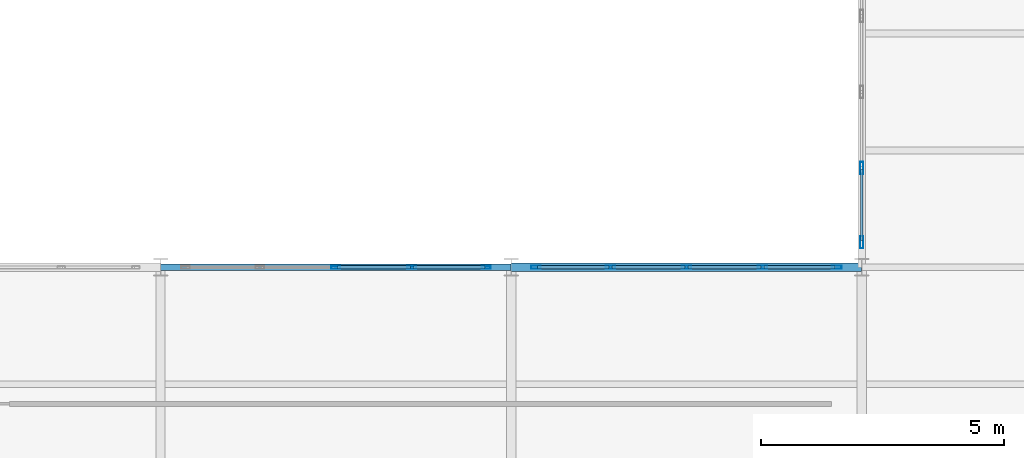
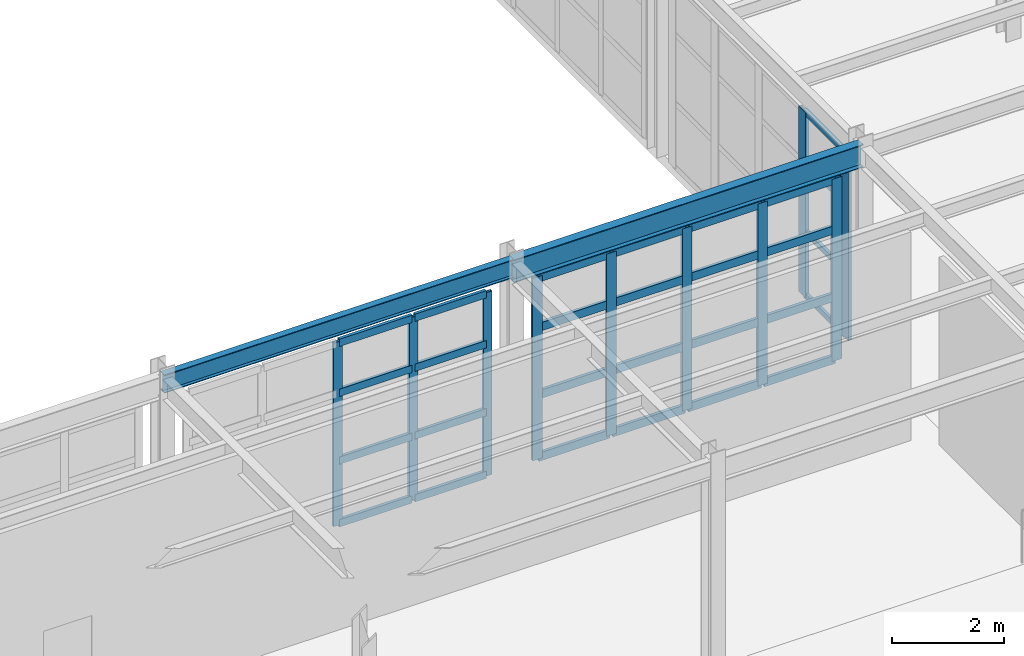
# One storey, part 32 of 126: 38 members, 2 beams, 3 elements without a shape of their own.
"""IFC4 building model written with IfcOpenShell, lengths in metres."""

from ifc_helpers import new_model, si_unit, direction, frame, origin, origin_2d, place, context, subcontext, project, spatial, hollow_rectangle, i_section, extrude, material, layer, layer_set, material_profile, profile_set, type_object, element, aggregate, save


model = new_model("IFC4")

# Units and contexts
model_context = context("Model", 3, precision=1e-05, world=origin(), true_north=direction((0.0, 1.0)))
body_context = subcontext(model_context, "Body", "Model", "MODEL_VIEW")
ifc_project = project(units=[si_unit("LENGTHUNIT", "METRE"), si_unit("AREAUNIT", "SQUARE_METRE"), si_unit("VOLUMEUNIT", "CUBIC_METRE"), si_unit("PLANEANGLEUNIT", "RADIAN"), si_unit("MASSUNIT", "GRAM", prefix="KILO")], contexts=[model_context])

# Site, building, storey
site_placement = place(None, origin())
site = spatial("IfcSite", under=ifc_project, at=site_placement, CompositionType="ELEMENT")
building_placement = place(site_placement, origin())
building = spatial("IfcBuilding", under=site, at=building_placement, Name="Solvadek Multi-Sports Hall", CompositionType="ELEMENT")
storey_placement = place(building_placement, frame((0.0, 0.0, 9.60009765625)))
storey = spatial("IfcBuildingStorey", under=building, at=storey_placement, Name="L02", CompositionType="ELEMENT", Elevation=9.60009765625)

# Curtain wall, members
ifc_material_1 = material(Name="Anodised aluminium", Category="aluminium")
ifc_layer_1 = layer(ifc_material_1, 0.159912109375, Name="Anodised aluminium")
ifc_layer_set_1 = layer_set([ifc_layer_1], Name="Anodised aluminium")
curtain_wall_type_1 = type_object("IfcCurtainWallType", Name="ENV-CW-624X400", PredefinedType="USERDEFINED", material=ifc_layer_set_1)
curtain_wall_1_placement = place(storey_placement, origin())
curtain_wall_1 = element("IfcCurtainWall", 1, at=curtain_wall_1_placement, inside=storey, type_object=curtain_wall_type_1, Name="L02 Perimeter Bay Curtain Wall #170", ObjectType="CURTAIN WALL", PredefinedType="USERDEFINED")
ifc_material_profile_1 = material_profile(ifc_material_1, hollow_rectangle(XDim=0.06005859375, YDim=0.179931640625, WallThickness=0.00390625, at=origin_2d()), Name="ALU-M 180x60x4")
ifc_profile_set_1 = profile_set([ifc_material_profile_1], Name="Anodised aluminium")
member_type_1 = type_object("IfcMemberType", Name="ENV-CWM-02", PredefinedType="MULLION", material=ifc_profile_set_1)
member_1_placement = place(storey_placement, frame((46.800048828125, 20.39990234375, 0.0), z_axis=(0.0, 0.0, 1.0), x_axis=(0.0, 1.0, 0.0)))
member_1 = element("IfcMember", 2, at=member_1_placement, type_object=member_type_1, Name="CW-56 mullion 3", PredefinedType="MULLION", context=body_context, shape_type="SweptSolid", body=[
    extrude(hollow_rectangle(XDim=0.06005859375, YDim=0.179931640625, WallThickness=0.00390625, at=origin_2d()), origin(), (0.0, 0.0, 1.0), 4.0),
])
member_2_placement = place(storey_placement, frame((48.360107421875, 20.39990234375, 0.0), z_axis=(0.0, 0.0, 1.0), x_axis=(0.0, 1.0, 0.0)))
member_2 = element("IfcMember", 3, at=member_2_placement, type_object=member_type_1, Name="CW-56 mullion 4", PredefinedType="MULLION", context=body_context, shape_type="SweptSolid", body=[
    extrude(hollow_rectangle(XDim=0.06005859375, YDim=0.179931640625, WallThickness=0.00390625, at=origin_2d()), origin(), (0.0, 0.0, 1.0), 4.0),
])
member_3_placement = place(storey_placement, frame((49.889892578125, 20.39990234375, 0.0), z_axis=(0.0, 0.0, 1.0), x_axis=(0.0, 1.0, 0.0)))
member_3 = element("IfcMember", 4, at=member_3_placement, type_object=member_type_1, Name="CW-56 mullion 5", PredefinedType="MULLION", context=body_context, shape_type="SweptSolid", body=[
    extrude(hollow_rectangle(XDim=0.06005859375, YDim=0.179931640625, WallThickness=0.00390625, at=origin_2d()), origin(), (0.0, 0.0, 1.0), 4.0),
])

ifc_layer_2 = layer(ifc_material_1, 0.159912109375, Name="Anodised aluminium")
ifc_layer_set_2 = layer_set([ifc_layer_2], Name="Anodised aluminium")
curtain_wall_type_2 = type_object("IfcCurtainWallType", Name="ENV-CW-624X397", PredefinedType="USERDEFINED", material=ifc_layer_set_2)
curtain_wall_2_placement = place(storey_placement, origin())
curtain_wall_2 = element("IfcCurtainWall", 5, at=curtain_wall_2_placement, inside=storey, type_object=curtain_wall_type_2, Name="L02 Perimeter Bay Curtain Wall #176", ObjectType="CURTAIN WALL", PredefinedType="USERDEFINED")
ifc_material_profile_2 = material_profile(ifc_material_1, hollow_rectangle(XDim=0.06494140625, YDim=0.199951171875, WallThickness=0.0048828125, at=origin_2d()), Name="ALU-M 200x65x5")
ifc_profile_set_2 = profile_set([ifc_material_profile_2], Name="Anodised aluminium")
member_type_2 = type_object("IfcMemberType", Name="ENV-CWM-03", PredefinedType="MULLION", material=ifc_profile_set_2)
member_4_placement = place(storey_placement, frame((50.91259765625, 20.39990234375, 0.0), z_axis=(0.0, 0.0, 1.0), x_axis=(0.0, 1.0, 0.0)))
member_4 = element("IfcMember", 6, at=member_4_placement, type_object=member_type_2, Name="CW-57 mullion 1", PredefinedType="MULLION", context=body_context, shape_type="SweptSolid", body=[
    extrude(hollow_rectangle(XDim=0.06494140625, YDim=0.199951171875, WallThickness=0.0048828125, at=origin_2d()), origin(), (0.0, 0.0, 1.0), 3.974853515625),
])
member_5_placement = place(storey_placement, frame((52.43994140625, 20.39990234375, 0.0), z_axis=(0.0, 0.0, 1.0), x_axis=(0.0, 1.0, 0.0)))
member_5 = element("IfcMember", 7, at=member_5_placement, type_object=member_type_2, Name="CW-57 mullion 2", PredefinedType="MULLION", context=body_context, shape_type="SweptSolid", body=[
    extrude(hollow_rectangle(XDim=0.06494140625, YDim=0.199951171875, WallThickness=0.0048828125, at=origin_2d()), origin(), (0.0, 0.0, 1.0), 3.974853515625),
])
member_6_placement = place(storey_placement, frame((54.0, 20.39990234375, 0.0), z_axis=(0.0, 0.0, 1.0), x_axis=(0.0, 1.0, 0.0)))
member_6 = element("IfcMember", 8, at=member_6_placement, type_object=member_type_2, Name="CW-57 mullion 3", PredefinedType="MULLION", context=body_context, shape_type="SweptSolid", body=[
    extrude(hollow_rectangle(XDim=0.06494140625, YDim=0.199951171875, WallThickness=0.0048828125, at=origin_2d()), origin(), (0.0, 0.0, 1.0), 3.974853515625),
])
member_7_placement = place(storey_placement, frame((55.56005859375, 20.39990234375, 0.0), z_axis=(0.0, 0.0, 1.0), x_axis=(0.0, 1.0, 0.0)))
member_7 = element("IfcMember", 9, at=member_7_placement, type_object=member_type_2, Name="CW-57 mullion 4", PredefinedType="MULLION", context=body_context, shape_type="SweptSolid", body=[
    extrude(hollow_rectangle(XDim=0.06494140625, YDim=0.199951171875, WallThickness=0.0048828125, at=origin_2d()), origin(), (0.0, 0.0, 1.0), 3.974853515625),
])
member_8_placement = place(storey_placement, frame((57.08740234375, 20.39990234375, 0.0), z_axis=(0.0, 0.0, 1.0), x_axis=(0.0, 1.0, 0.0)))
member_8 = element("IfcMember", 10, at=member_8_placement, type_object=member_type_2, Name="CW-57 mullion 5", PredefinedType="MULLION", context=body_context, shape_type="SweptSolid", body=[
    extrude(hollow_rectangle(XDim=0.06494140625, YDim=0.199951171875, WallThickness=0.0048828125, at=origin_2d()), origin(), (0.0, 0.0, 1.0), 3.974853515625),
])

ifc_layer_3 = layer(ifc_material_1, 0.159912109375, Name="Anodised aluminium")
ifc_layer_set_3 = layer_set([ifc_layer_3], Name="Anodised aluminium")
curtain_wall_type_3 = type_object("IfcCurtainWallType", Name="ENV-CW-624X405", PredefinedType="USERDEFINED", material=ifc_layer_set_3)
curtain_wall_3_placement = place(storey_placement, origin())
curtain_wall_3 = element("IfcCurtainWall", 11, at=curtain_wall_3_placement, inside=storey, type_object=curtain_wall_type_3, Name="L02 Perimeter Bay Curtain Wall #185", ObjectType="CURTAIN WALL", PredefinedType="USERDEFINED")
ifc_material_profile_3 = material_profile(ifc_material_1, hollow_rectangle(XDim=0.070068359375, YDim=0.25, WallThickness=0.0048828125, at=origin_2d()), Name="ALU-M 250x70x5")
ifc_profile_set_3 = profile_set([ifc_material_profile_3], Name="Anodised aluminium")
member_type_3 = type_object("IfcMemberType", Name="ENV-CWM-05", PredefinedType="MULLION", material=ifc_profile_set_3)
member_9_placement = place(storey_placement, frame((57.60009765625, 20.9150390625, 0.0), z_axis=(0.0, 0.0, 1.0), x_axis=(-1.0, 0.0, 0.0)))
member_9 = element("IfcMember", 12, at=member_9_placement, type_object=member_type_3, Name="CW-52 mullion 1", PredefinedType="MULLION", context=body_context, shape_type="SweptSolid", body=[
    extrude(hollow_rectangle(XDim=0.070068359375, YDim=0.25, WallThickness=0.0048828125, at=origin_2d()), origin(), (0.0, 0.0, 1.0), 4.0498046875),
])
member_10_placement = place(storey_placement, frame((57.60009765625, 22.43994140625, 0.0), z_axis=(0.0, 0.0, 1.0), x_axis=(-1.0, 0.0, 0.0)))
member_10 = element("IfcMember", 13, at=member_10_placement, type_object=member_type_3, Name="CW-52 mullion 2", PredefinedType="MULLION", context=body_context, shape_type="SweptSolid", body=[
    extrude(hollow_rectangle(XDim=0.070068359375, YDim=0.25, WallThickness=0.0048828125, at=origin_2d()), origin(), (0.0, 0.0, 1.0), 4.0498046875),
])
ifc_material_profile_4 = material_profile(ifc_material_1, hollow_rectangle(XDim=0.06005859375, YDim=0.1201171875, WallThickness=0.00390625, at=origin_2d()), Name="ALU-T 120x60x4")
ifc_profile_set_4 = profile_set([ifc_material_profile_4], Name="Anodised aluminium")
member_type_4 = type_object("IfcMemberType", Name="ENV-CWT-01", PredefinedType="USERDEFINED", material=ifc_profile_set_4)
member_11_placement = place(storey_placement, frame((57.60009765625, 20.949951171875, 0.02978515625), z_axis=(0.0, 1.0, 0.0), x_axis=(-1.0, 0.0, 0.0)))
member_11 = element("IfcMember", 14, at=member_11_placement, type_object=member_type_4, Name="CW-52 transom 1.1", ObjectType="TRANSOM", PredefinedType="USERDEFINED", context=body_context, shape_type="SweptSolid", body=[
    extrude(hollow_rectangle(XDim=0.06005859375, YDim=0.1201171875, WallThickness=0.00390625, at=origin_2d()), origin(), (0.0, 0.0, 1.0), 1.455078125),
])
member_12_placement = place(storey_placement, frame((57.60009765625, 20.949951171875, 1.41796875), z_axis=(0.0, 1.0, 0.0), x_axis=(-1.0, 0.0, 0.0)))
member_12 = element("IfcMember", 15, at=member_12_placement, type_object=member_type_4, Name="CW-52 transom 1.2", ObjectType="TRANSOM", PredefinedType="USERDEFINED", context=body_context, shape_type="SweptSolid", body=[
    extrude(hollow_rectangle(XDim=0.06005859375, YDim=0.1201171875, WallThickness=0.00390625, at=origin_2d()), origin(), (0.0, 0.0, 1.0), 1.455078125),
])
member_13_placement = place(storey_placement, frame((57.60009765625, 20.949951171875, 2.916015625), z_axis=(0.0, 1.0, 0.0), x_axis=(-1.0, 0.0, 0.0)))
member_13 = element("IfcMember", 16, at=member_13_placement, type_object=member_type_4, Name="CW-52 transom 1.3", ObjectType="TRANSOM", PredefinedType="USERDEFINED", context=body_context, shape_type="SweptSolid", body=[
    extrude(hollow_rectangle(XDim=0.06005859375, YDim=0.1201171875, WallThickness=0.00390625, at=origin_2d()), origin(), (0.0, 0.0, 1.0), 1.455078125),
])
member_14_placement = place(storey_placement, frame((57.60009765625, 20.949951171875, 4.02001953125), z_axis=(0.0, 1.0, 0.0), x_axis=(-1.0, 0.0, 0.0)))
member_14 = element("IfcMember", 17, at=member_14_placement, type_object=member_type_4, Name="CW-52 transom 1.4", ObjectType="TRANSOM", PredefinedType="USERDEFINED", context=body_context, shape_type="SweptSolid", body=[
    extrude(hollow_rectangle(XDim=0.06005859375, YDim=0.1201171875, WallThickness=0.00390625, at=origin_2d()), origin(), (0.0, 0.0, 1.0), 1.455078125),
])
aggregate(curtain_wall_3, [member_9, member_10, member_11, member_12, member_13, member_14])

# Member
ifc_material_profile_5 = material_profile(ifc_material_1, hollow_rectangle(XDim=0.06494140625, YDim=0.159912109375, WallThickness=0.00390625, at=origin_2d()), Name="ALU-T 160x65x4")
ifc_profile_set_5 = profile_set([ifc_material_profile_5], Name="Anodised aluminium")
member_type_5 = type_object("IfcMemberType", Name="ENV-CWT-03", PredefinedType="USERDEFINED", material=ifc_profile_set_5)
member_15_placement = place(storey_placement, frame((46.830078125, 20.39990234375, 0.032470703125), z_axis=(1.0, 0.0, 0.0), x_axis=(0.0, 1.0, 0.0)))
member_15 = element("IfcMember", 18, at=member_15_placement, type_object=member_type_5, Name="CW-56 transom 3.1", ObjectType="TRANSOM", PredefinedType="USERDEFINED", context=body_context, shape_type="SweptSolid", body=[
    extrude(hollow_rectangle(XDim=0.06494140625, YDim=0.159912109375, WallThickness=0.00390625, at=origin_2d()), origin(), (0.0, 0.0, 1.0), 1.5),
])

member_16_placement = place(storey_placement, frame((46.830078125, 20.39990234375, 1.39990234375), z_axis=(1.0, 0.0, 0.0), x_axis=(0.0, 1.0, 0.0)))
member_16 = element("IfcMember", 19, at=member_16_placement, type_object=member_type_5, Name="CW-56 transom 3.2", ObjectType="TRANSOM", PredefinedType="USERDEFINED", context=body_context, shape_type="SweptSolid", body=[
    extrude(hollow_rectangle(XDim=0.06494140625, YDim=0.159912109375, WallThickness=0.00390625, at=origin_2d()), origin(), (0.0, 0.0, 1.0), 1.5),
])

member_17_placement = place(storey_placement, frame((46.830078125, 20.39990234375, 2.8798828125), z_axis=(1.0, 0.0, 0.0), x_axis=(0.0, 1.0, 0.0)))
member_17 = element("IfcMember", 20, at=member_17_placement, type_object=member_type_5, Name="CW-56 transom 3.3", ObjectType="TRANSOM", PredefinedType="USERDEFINED", context=body_context, shape_type="SweptSolid", body=[
    extrude(hollow_rectangle(XDim=0.06494140625, YDim=0.159912109375, WallThickness=0.00390625, at=origin_2d()), origin(), (0.0, 0.0, 1.0), 1.5),
])

member_18_placement = place(storey_placement, frame((46.830078125, 20.39990234375, 3.96728515625), z_axis=(1.0, 0.0, 0.0), x_axis=(0.0, 1.0, 0.0)))
member_18 = element("IfcMember", 21, at=member_18_placement, type_object=member_type_5, Name="CW-56 transom 3.4", ObjectType="TRANSOM", PredefinedType="USERDEFINED", context=body_context, shape_type="SweptSolid", body=[
    extrude(hollow_rectangle(XDim=0.06494140625, YDim=0.159912109375, WallThickness=0.00390625, at=origin_2d()), origin(), (0.0, 0.0, 1.0), 1.5),
])

member_19_placement = place(storey_placement, frame((48.389892578125, 20.39990234375, 0.032470703125), z_axis=(1.0, 0.0, 0.0), x_axis=(0.0, 1.0, 0.0)))
member_19 = element("IfcMember", 22, at=member_19_placement, type_object=member_type_5, Name="CW-56 transom 4.1", ObjectType="TRANSOM", PredefinedType="USERDEFINED", context=body_context, shape_type="SweptSolid", body=[
    extrude(hollow_rectangle(XDim=0.06494140625, YDim=0.159912109375, WallThickness=0.00390625, at=origin_2d()), origin(), (0.0, 0.0, 1.0), 1.47021484375),
])

member_20_placement = place(storey_placement, frame((48.389892578125, 20.39990234375, 1.39990234375), z_axis=(1.0, 0.0, 0.0), x_axis=(0.0, 1.0, 0.0)))
member_20 = element("IfcMember", 23, at=member_20_placement, type_object=member_type_5, Name="CW-56 transom 4.2", ObjectType="TRANSOM", PredefinedType="USERDEFINED", context=body_context, shape_type="SweptSolid", body=[
    extrude(hollow_rectangle(XDim=0.06494140625, YDim=0.159912109375, WallThickness=0.00390625, at=origin_2d()), origin(), (0.0, 0.0, 1.0), 1.47021484375),
])

member_21_placement = place(storey_placement, frame((48.389892578125, 20.39990234375, 2.8798828125), z_axis=(1.0, 0.0, 0.0), x_axis=(0.0, 1.0, 0.0)))
member_21 = element("IfcMember", 24, at=member_21_placement, type_object=member_type_5, Name="CW-56 transom 4.3", ObjectType="TRANSOM", PredefinedType="USERDEFINED", context=body_context, shape_type="SweptSolid", body=[
    extrude(hollow_rectangle(XDim=0.06494140625, YDim=0.159912109375, WallThickness=0.00390625, at=origin_2d()), origin(), (0.0, 0.0, 1.0), 1.47021484375),
])

member_22_placement = place(storey_placement, frame((48.389892578125, 20.39990234375, 3.96728515625), z_axis=(1.0, 0.0, 0.0), x_axis=(0.0, 1.0, 0.0)))
member_22 = element("IfcMember", 25, at=member_22_placement, type_object=member_type_5, Name="CW-56 transom 4.4", ObjectType="TRANSOM", PredefinedType="USERDEFINED", context=body_context, shape_type="SweptSolid", body=[
    extrude(hollow_rectangle(XDim=0.06494140625, YDim=0.159912109375, WallThickness=0.00390625, at=origin_2d()), origin(), (0.0, 0.0, 1.0), 1.47021484375),
])

aggregate(curtain_wall_1, [member_1, member_2, member_3, member_15, member_16, member_17, member_18, member_19, member_20, member_21, member_22])

ifc_material_profile_6 = material_profile(ifc_material_1, hollow_rectangle(XDim=0.06494140625, YDim=0.179931640625, WallThickness=0.0048828125, at=origin_2d()), Name="ALU-T 180x65x5")
ifc_profile_set_6 = profile_set([ifc_material_profile_6], Name="Anodised aluminium")
member_type_6 = type_object("IfcMemberType", Name="ENV-CWT-04", PredefinedType="USERDEFINED", material=ifc_profile_set_6)
member_23_placement = place(storey_placement, frame((50.945068359375, 20.39990234375, 0.032470703125), z_axis=(1.0, 0.0, 0.0), x_axis=(0.0, 1.0, 0.0)))
member_23 = element("IfcMember", 26, at=member_23_placement, type_object=member_type_6, Name="CW-57 transom 1.1", ObjectType="TRANSOM", PredefinedType="USERDEFINED", context=body_context, shape_type="SweptSolid", body=[
    extrude(hollow_rectangle(XDim=0.06494140625, YDim=0.179931640625, WallThickness=0.0048828125, at=origin_2d()), origin(), (0.0, 0.0, 1.0), 1.46240234375),
])

member_24_placement = place(storey_placement, frame((50.945068359375, 20.39990234375, 1.390869140625), z_axis=(1.0, 0.0, 0.0), x_axis=(0.0, 1.0, 0.0)))
member_24 = element("IfcMember", 27, at=member_24_placement, type_object=member_type_6, Name="CW-57 transom 1.2", ObjectType="TRANSOM", PredefinedType="USERDEFINED", context=body_context, shape_type="SweptSolid", body=[
    extrude(hollow_rectangle(XDim=0.06494140625, YDim=0.179931640625, WallThickness=0.0048828125, at=origin_2d()), origin(), (0.0, 0.0, 1.0), 1.46240234375),
])

member_25_placement = place(storey_placement, frame((50.945068359375, 20.39990234375, 2.86181640625), z_axis=(1.0, 0.0, 0.0), x_axis=(0.0, 1.0, 0.0)))
member_25 = element("IfcMember", 28, at=member_25_placement, type_object=member_type_6, Name="CW-57 transom 1.3", ObjectType="TRANSOM", PredefinedType="USERDEFINED", context=body_context, shape_type="SweptSolid", body=[
    extrude(hollow_rectangle(XDim=0.06494140625, YDim=0.179931640625, WallThickness=0.0048828125, at=origin_2d()), origin(), (0.0, 0.0, 1.0), 1.46240234375),
])

member_26_placement = place(storey_placement, frame((50.945068359375, 20.39990234375, 3.9423828125), z_axis=(1.0, 0.0, 0.0), x_axis=(0.0, 1.0, 0.0)))
member_26 = element("IfcMember", 29, at=member_26_placement, type_object=member_type_6, Name="CW-57 transom 1.4", ObjectType="TRANSOM", PredefinedType="USERDEFINED", context=body_context, shape_type="SweptSolid", body=[
    extrude(hollow_rectangle(XDim=0.06494140625, YDim=0.179931640625, WallThickness=0.0048828125, at=origin_2d()), origin(), (0.0, 0.0, 1.0), 1.46240234375),
])

member_27_placement = place(storey_placement, frame((52.472412109375, 20.39990234375, 0.032470703125), z_axis=(1.0, 0.0, 0.0), x_axis=(0.0, 1.0, 0.0)))
member_27 = element("IfcMember", 30, at=member_27_placement, type_object=member_type_6, Name="CW-57 transom 2.1", ObjectType="TRANSOM", PredefinedType="USERDEFINED", context=body_context, shape_type="SweptSolid", body=[
    extrude(hollow_rectangle(XDim=0.06494140625, YDim=0.179931640625, WallThickness=0.0048828125, at=origin_2d()), origin(), (0.0, 0.0, 1.0), 1.4951171875),
])

member_28_placement = place(storey_placement, frame((52.472412109375, 20.39990234375, 1.390869140625), z_axis=(1.0, 0.0, 0.0), x_axis=(0.0, 1.0, 0.0)))
member_28 = element("IfcMember", 31, at=member_28_placement, type_object=member_type_6, Name="CW-57 transom 2.2", ObjectType="TRANSOM", PredefinedType="USERDEFINED", context=body_context, shape_type="SweptSolid", body=[
    extrude(hollow_rectangle(XDim=0.06494140625, YDim=0.179931640625, WallThickness=0.0048828125, at=origin_2d()), origin(), (0.0, 0.0, 1.0), 1.4951171875),
])

member_29_placement = place(storey_placement, frame((52.472412109375, 20.39990234375, 2.86181640625), z_axis=(1.0, 0.0, 0.0), x_axis=(0.0, 1.0, 0.0)))
member_29 = element("IfcMember", 32, at=member_29_placement, type_object=member_type_6, Name="CW-57 transom 2.3", ObjectType="TRANSOM", PredefinedType="USERDEFINED", context=body_context, shape_type="SweptSolid", body=[
    extrude(hollow_rectangle(XDim=0.06494140625, YDim=0.179931640625, WallThickness=0.0048828125, at=origin_2d()), origin(), (0.0, 0.0, 1.0), 1.4951171875),
])

member_30_placement = place(storey_placement, frame((52.472412109375, 20.39990234375, 3.9423828125), z_axis=(1.0, 0.0, 0.0), x_axis=(0.0, 1.0, 0.0)))
member_30 = element("IfcMember", 33, at=member_30_placement, type_object=member_type_6, Name="CW-57 transom 2.4", ObjectType="TRANSOM", PredefinedType="USERDEFINED", context=body_context, shape_type="SweptSolid", body=[
    extrude(hollow_rectangle(XDim=0.06494140625, YDim=0.179931640625, WallThickness=0.0048828125, at=origin_2d()), origin(), (0.0, 0.0, 1.0), 1.4951171875),
])

member_31_placement = place(storey_placement, frame((54.032470703125, 20.39990234375, 0.032470703125), z_axis=(1.0, 0.0, 0.0), x_axis=(0.0, 1.0, 0.0)))
member_31 = element("IfcMember", 34, at=member_31_placement, type_object=member_type_6, Name="CW-57 transom 3.1", ObjectType="TRANSOM", PredefinedType="USERDEFINED", context=body_context, shape_type="SweptSolid", body=[
    extrude(hollow_rectangle(XDim=0.06494140625, YDim=0.179931640625, WallThickness=0.0048828125, at=origin_2d()), origin(), (0.0, 0.0, 1.0), 1.4951171875),
])

member_32_placement = place(storey_placement, frame((54.032470703125, 20.39990234375, 1.390869140625), z_axis=(1.0, 0.0, 0.0), x_axis=(0.0, 1.0, 0.0)))
member_32 = element("IfcMember", 35, at=member_32_placement, type_object=member_type_6, Name="CW-57 transom 3.2", ObjectType="TRANSOM", PredefinedType="USERDEFINED", context=body_context, shape_type="SweptSolid", body=[
    extrude(hollow_rectangle(XDim=0.06494140625, YDim=0.179931640625, WallThickness=0.0048828125, at=origin_2d()), origin(), (0.0, 0.0, 1.0), 1.4951171875),
])

member_33_placement = place(storey_placement, frame((54.032470703125, 20.39990234375, 2.86181640625), z_axis=(1.0, 0.0, 0.0), x_axis=(0.0, 1.0, 0.0)))
member_33 = element("IfcMember", 36, at=member_33_placement, type_object=member_type_6, Name="CW-57 transom 3.3", ObjectType="TRANSOM", PredefinedType="USERDEFINED", context=body_context, shape_type="SweptSolid", body=[
    extrude(hollow_rectangle(XDim=0.06494140625, YDim=0.179931640625, WallThickness=0.0048828125, at=origin_2d()), origin(), (0.0, 0.0, 1.0), 1.4951171875),
])

member_34_placement = place(storey_placement, frame((54.032470703125, 20.39990234375, 3.9423828125), z_axis=(1.0, 0.0, 0.0), x_axis=(0.0, 1.0, 0.0)))
member_34 = element("IfcMember", 37, at=member_34_placement, type_object=member_type_6, Name="CW-57 transom 3.4", ObjectType="TRANSOM", PredefinedType="USERDEFINED", context=body_context, shape_type="SweptSolid", body=[
    extrude(hollow_rectangle(XDim=0.06494140625, YDim=0.179931640625, WallThickness=0.0048828125, at=origin_2d()), origin(), (0.0, 0.0, 1.0), 1.4951171875),
])

member_35_placement = place(storey_placement, frame((55.592529296875, 20.39990234375, 0.032470703125), z_axis=(1.0, 0.0, 0.0), x_axis=(0.0, 1.0, 0.0)))
member_35 = element("IfcMember", 38, at=member_35_placement, type_object=member_type_6, Name="CW-57 transom 4.1", ObjectType="TRANSOM", PredefinedType="USERDEFINED", context=body_context, shape_type="SweptSolid", body=[
    extrude(hollow_rectangle(XDim=0.06494140625, YDim=0.179931640625, WallThickness=0.0048828125, at=origin_2d()), origin(), (0.0, 0.0, 1.0), 1.46240234375),
])

member_36_placement = place(storey_placement, frame((55.592529296875, 20.39990234375, 1.390869140625), z_axis=(1.0, 0.0, 0.0), x_axis=(0.0, 1.0, 0.0)))
member_36 = element("IfcMember", 39, at=member_36_placement, type_object=member_type_6, Name="CW-57 transom 4.2", ObjectType="TRANSOM", PredefinedType="USERDEFINED", context=body_context, shape_type="SweptSolid", body=[
    extrude(hollow_rectangle(XDim=0.06494140625, YDim=0.179931640625, WallThickness=0.0048828125, at=origin_2d()), origin(), (0.0, 0.0, 1.0), 1.46240234375),
])

member_37_placement = place(storey_placement, frame((55.592529296875, 20.39990234375, 2.86181640625), z_axis=(1.0, 0.0, 0.0), x_axis=(0.0, 1.0, 0.0)))
member_37 = element("IfcMember", 40, at=member_37_placement, type_object=member_type_6, Name="CW-57 transom 4.3", ObjectType="TRANSOM", PredefinedType="USERDEFINED", context=body_context, shape_type="SweptSolid", body=[
    extrude(hollow_rectangle(XDim=0.06494140625, YDim=0.179931640625, WallThickness=0.0048828125, at=origin_2d()), origin(), (0.0, 0.0, 1.0), 1.46240234375),
])

member_38_placement = place(storey_placement, frame((55.592529296875, 20.39990234375, 3.9423828125), z_axis=(1.0, 0.0, 0.0), x_axis=(0.0, 1.0, 0.0)))
member_38 = element("IfcMember", 41, at=member_38_placement, type_object=member_type_6, Name="CW-57 transom 4.4", ObjectType="TRANSOM", PredefinedType="USERDEFINED", context=body_context, shape_type="SweptSolid", body=[
    extrude(hollow_rectangle(XDim=0.06494140625, YDim=0.179931640625, WallThickness=0.0048828125, at=origin_2d()), origin(), (0.0, 0.0, 1.0), 1.46240234375),
])

aggregate(curtain_wall_2, [member_4, member_5, member_6, member_7, member_8, member_23, member_24, member_25, member_26, member_27, member_28, member_29, member_30, member_31, member_32, member_33, member_34, member_35, member_36, member_37, member_38])

# Beams
ifc_material_2 = material(Name="Steel E350 (350 MPa)", Category="steel")
ifc_material_profile_7 = material_profile(ifc_material_2, i_section(OverallWidth=0.139892578125, OverallDepth=0.39990234375, WebThickness=0.0087890625, FlangeThickness=0.01611328125, at=origin_2d()), Name="ISMB 400")
ifc_profile_set_7 = profile_set([ifc_material_profile_7], Name="Steel E350 (350 MPa)")
beam_type_1 = type_object("IfcBeamType", Name="STR-BM-ISMB400", PredefinedType="BEAM", material=ifc_profile_set_7)
beam_1_placement = place(storey_placement, frame((43.199951171875, 20.39990234375, 4.35986328125), z_axis=(1.0, 0.0, 0.0), x_axis=(0.0, 1.0, 0.0)))
element("IfcBeam", 42, at=beam_1_placement, inside=storey, type_object=beam_type_1, Name="L02 Girder B-10 #1332", PredefinedType="BEAM", context=body_context, shape_type="SweptSolid", body=[
    extrude(i_section(OverallWidth=0.139892578125, OverallDepth=0.39990234375, WebThickness=0.0087890625, FlangeThickness=0.01611328125, at=origin_2d()), origin(), (0.0, 0.0, 1.0), 7.199951171875),
])
ifc_material_profile_8 = material_profile(ifc_material_2, i_section(OverallWidth=0.179931640625, OverallDepth=0.5, WebThickness=0.01025390625, FlangeThickness=0.01708984375, at=origin_2d()), Name="ISMB 500")
ifc_profile_set_8 = profile_set([ifc_material_profile_8], Name="Steel E350 (350 MPa)")
beam_type_2 = type_object("IfcBeamType", Name="STR-BM-ISMB500", PredefinedType="BEAM", material=ifc_profile_set_8)
beam_2_placement = place(storey_placement, frame((50.39990234375, 20.39990234375, 4.309814453125), z_axis=(1.0, 0.0, 0.0), x_axis=(0.0, 1.0, 0.0)))
element("IfcBeam", 43, at=beam_2_placement, inside=storey, type_object=beam_type_2, Name="L02 Girder B-07 #1333", PredefinedType="BEAM", context=body_context, shape_type="SweptSolid", body=[
    extrude(i_section(OverallWidth=0.179931640625, OverallDepth=0.5, WebThickness=0.01025390625, FlangeThickness=0.01708984375, at=origin_2d()), origin(), (0.0, 0.0, 1.0), 7.2001953125),
])

save(model, "model.ifc")
